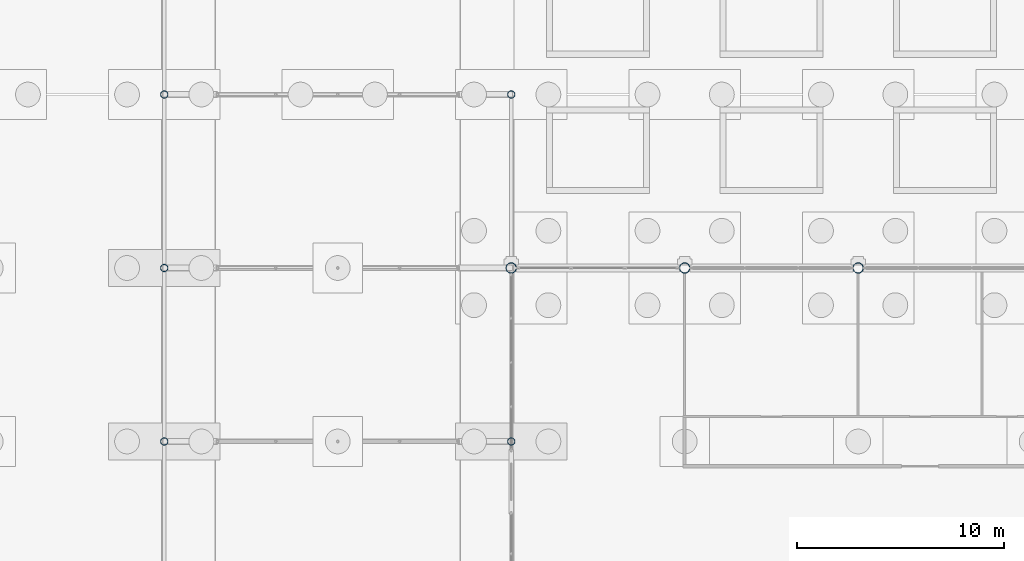
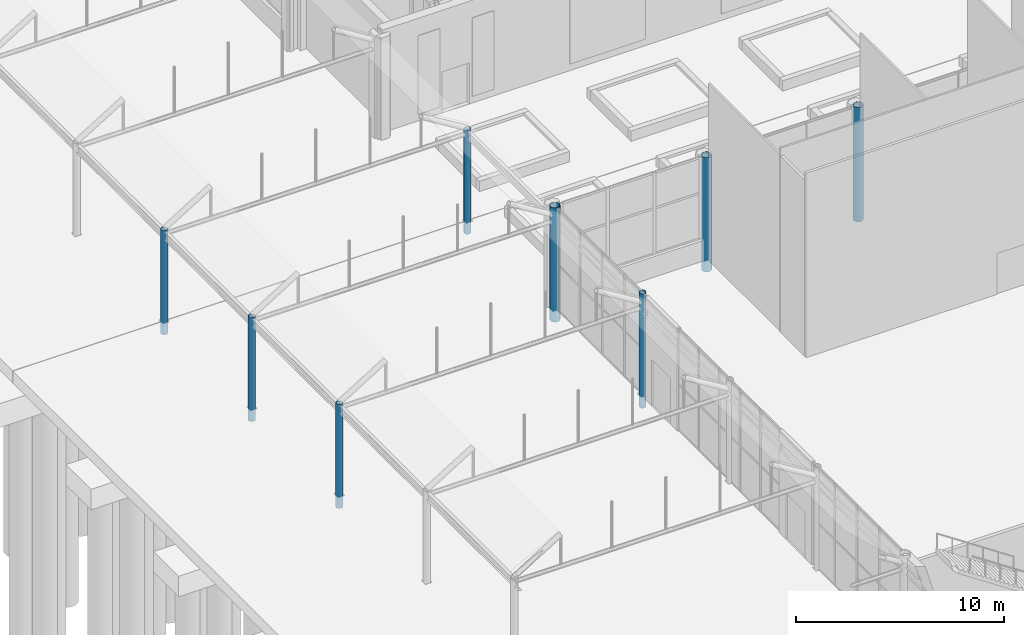
# One storey, part 26 of 212: 8 columns.
"""IFC4 building model written with IfcOpenShell, lengths in metres."""

from ifc_helpers import new_model, si_unit, direction, frame, origin, origin_2d, place, context, subcontext, project, spatial, hollow_circle, extrude, material, material_profile, profile_set, type_object, element, save


model = new_model("IFC4")

# Units and contexts
model_context = context("Model", 3, precision=1e-05, world=origin(), true_north=direction((0.0, 1.0)))
body_context = subcontext(model_context, "Body", "Model", "MODEL_VIEW")
ifc_project = project(units=[si_unit("LENGTHUNIT", "METRE"), si_unit("AREAUNIT", "SQUARE_METRE"), si_unit("VOLUMEUNIT", "CUBIC_METRE"), si_unit("PLANEANGLEUNIT", "RADIAN"), si_unit("MASSUNIT", "GRAM", prefix="KILO")], contexts=[model_context])

# Site, building, storey
site_placement = place(None, origin())
site = spatial("IfcSite", under=ifc_project, at=site_placement, CompositionType="ELEMENT")
building_placement = place(site_placement, origin())
building = spatial("IfcBuilding", under=site, at=building_placement, Name="Catenary Quay Ferry Terminal", CompositionType="ELEMENT")
storey_placement = place(building_placement, origin())
storey = spatial("IfcBuildingStorey", under=building, at=storey_placement, Name="L00", CompositionType="ELEMENT", Elevation=0.0)

# Columns
ifc_material_1 = material(Name="Steel S355", Category="steel")
ifc_material_profile_1 = material_profile(ifc_material_1, hollow_circle(Radius=0.25390625, WallThickness=0.01611328125, at=origin_2d()), Name="CHS 508x16")
ifc_profile_set_1 = profile_set([ifc_material_profile_1], Name="Steel S355")
column_type_1 = type_object("IfcColumnType", Name="C4 CHS 508x16", PredefinedType="COLUMN", material=ifc_profile_set_1)
for number, where, z_axis, x_axis, name in (
    (1, (25.199951171875, 142.800048828125, -0.699951171875), (0.0, 0.0, 1.0), (1.0, 0.0, 0.0), "Column C-D18 L00"),
    (2, (33.60009765625, 142.800048828125, -0.699951171875), (0.0, 0.0, 1.0), (1.0, 0.0, 0.0), "Column C-E18 L00"),
    (3, (42.0, 142.800048828125, -0.699951171875), (0.0, 0.0, 1.0), (1.0, 0.0, 0.0), "Column C-F18 L00"),
):
    element("IfcColumn", number, at=place(storey_placement, frame(where, z_axis=z_axis, x_axis=x_axis)), inside=storey, type_object=column_type_1, Name=name, PredefinedType="COLUMN", context=body_context, shape_type="SweptSolid", body=[
        extrude(hollow_circle(Radius=0.25390625, WallThickness=0.01611328125, at=origin_2d()), origin(), (0.0, 0.0, 1.0), 6.699951171875),
    ])
ifc_material_2 = material(Name="Steel S355", Category="steel")
ifc_material_profile_2 = material_profile(ifc_material_2, hollow_circle(Radius=0.177734375, WallThickness=0.012451171875, at=origin_2d()), Name="CHS 355.6x12.5")
ifc_profile_set_2 = profile_set([ifc_material_profile_2], Name="Steel S355")
column_type_2 = type_object("IfcColumnType", Name="C5 CHS 355.6x12.5", PredefinedType="COLUMN", material=ifc_profile_set_2)
column_1_placement = place(storey_placement, frame((25.199951171875, 151.199951171875, -0.699951171875), z_axis=(0.0, 0.0, 1.0), x_axis=(1.0, 0.0, 0.0)))
element("IfcColumn", 4, at=column_1_placement, inside=storey, type_object=column_type_2, Name="Column C-D19 L00", PredefinedType="COLUMN", context=body_context, shape_type="SweptSolid", body=[
    extrude(hollow_circle(Radius=0.177734375, WallThickness=0.012451171875, at=origin_2d()), origin(), (0.0, 0.0, 1.0), 6.099853515625),
])
column_2_placement = place(storey_placement, frame((25.199951171875, 134.39990234375, -0.699951171875), z_axis=(0.0, 0.0, 1.0), x_axis=(1.0, 0.0, 0.0)))
element("IfcColumn", 5, at=column_2_placement, inside=storey, type_object=column_type_2, Name="Column C-D17 L00", PredefinedType="COLUMN", context=body_context, shape_type="SweptSolid", body=[
    extrude(hollow_circle(Radius=0.177734375, WallThickness=0.012451171875, at=origin_2d()), origin(), (0.0, 0.0, 1.0), 6.699951171875),
])
for number, where, z_axis, x_axis, name in (
    (6, (8.39990234375, 134.39990234375, -0.699951171875), (0.0, 0.0, 1.0), (1.0, 0.0, 0.0), "Column C-B17 L00"),
    (7, (8.39990234375, 142.800048828125, -0.699951171875), (0.0, 0.0, 1.0), (1.0, 0.0, 0.0), "Column C-B18 L00"),
    (8, (8.39990234375, 151.199951171875, -0.699951171875), (0.0, 0.0, 1.0), (1.0, 0.0, 0.0), "Column C-B19 L00"),
):
    element("IfcColumn", number, at=place(storey_placement, frame(where, z_axis=z_axis, x_axis=x_axis)), inside=storey, type_object=column_type_2, Name=name, PredefinedType="COLUMN", context=body_context, shape_type="SweptSolid", body=[
        extrude(hollow_circle(Radius=0.177734375, WallThickness=0.012451171875, at=origin_2d()), origin(), (0.0, 0.0, 1.0), 6.099853515625),
    ])

save(model, "model.ifc")
